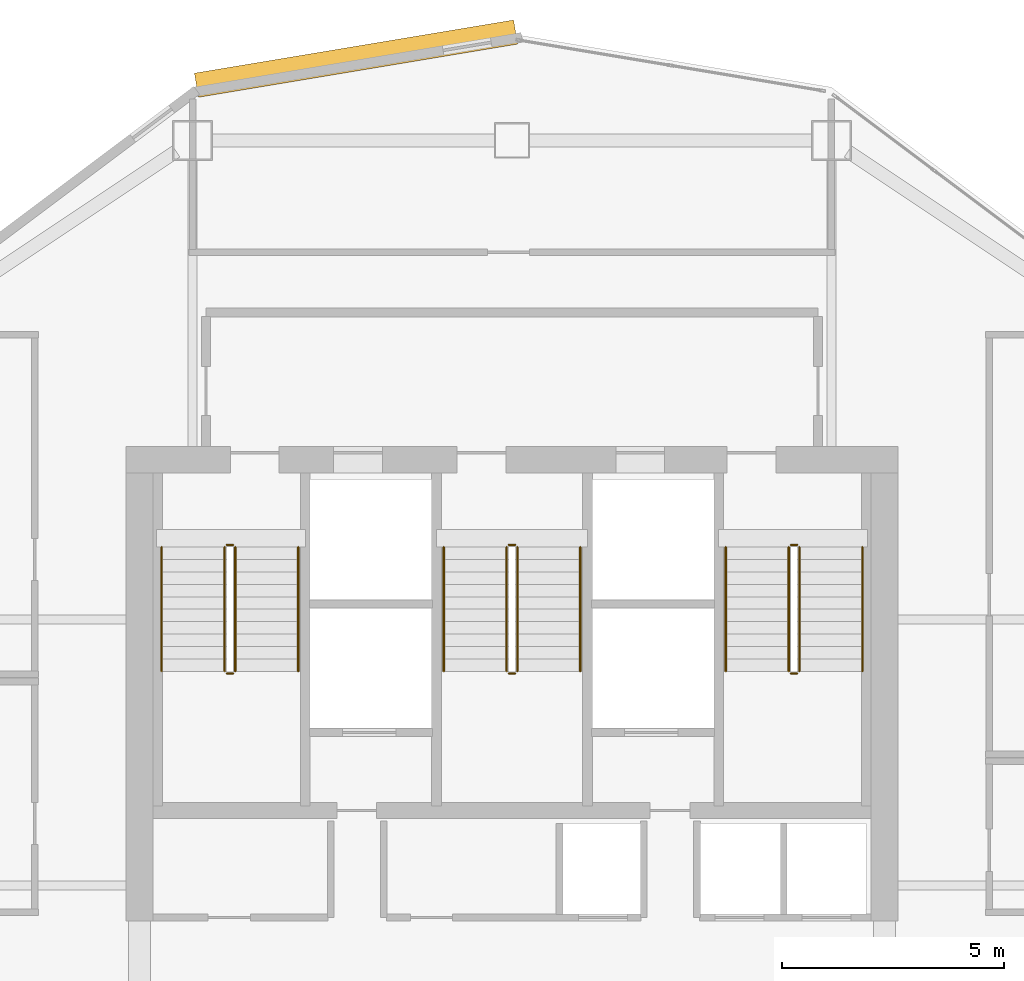
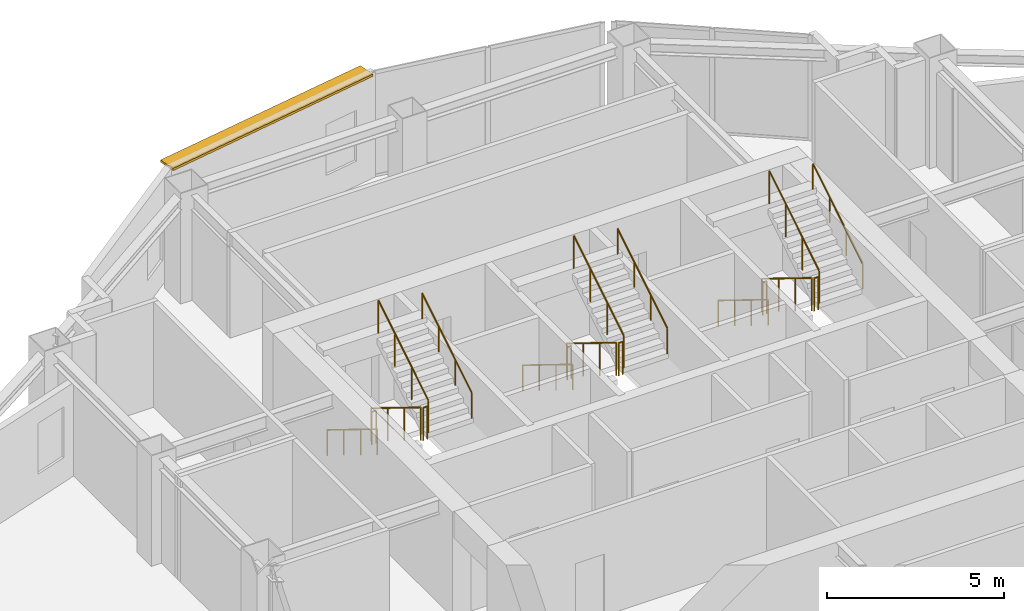
# One storey, part 11 of 11: 18 railings, 1 shading device.
"""IFC4 building model written with IfcOpenShell, lengths in metres."""

from ifc_helpers import new_model, si_unit, direction, frame, origin, origin_2d, place, context, subcontext, project, spatial, rectangle, circle, extrude, material, layer, layer_set, type_object, element, save


model = new_model("IFC4")

# Units and contexts
model_context = context("Model", 3, precision=1e-05, world=origin(), true_north=direction((0.0, 1.0)))
body_context = subcontext(model_context, "Body", "Model", "MODEL_VIEW")
ifc_project = project(units=[si_unit("LENGTHUNIT", "METRE"), si_unit("AREAUNIT", "SQUARE_METRE"), si_unit("VOLUMEUNIT", "CUBIC_METRE"), si_unit("PLANEANGLEUNIT", "RADIAN"), si_unit("MASSUNIT", "GRAM", prefix="KILO")], contexts=[model_context])

# Site, building, storey
site_placement = place(None, origin())
site = spatial("IfcSite", under=ifc_project, at=site_placement, CompositionType="ELEMENT")
building_placement = place(site_placement, origin())
building = spatial("IfcBuilding", under=site, at=building_placement, Name="Haolan Belvedere Tower", CompositionType="ELEMENT")
storey_placement = place(building_placement, frame((0.0, 0.0, 199.39990234375)))
storey = spatial("IfcBuildingStorey", under=building, at=storey_placement, Name="L50", CompositionType="ELEMENT", Elevation=199.39990234375)

# Railings
ifc_material_1 = material(Name="Brushed stainless steel 304", Category="steel")
railing_type_1 = type_object("IfcRailingType", Name="RL-STAIR-GRD-1150", PredefinedType="GUARDRAIL", material=ifc_material_1)
railing_1_placement = place(storey_placement, frame((31.919921875, 41.22998046875, 0.1728515625)))
element("IfcRailing", 1, at=railing_1_placement, inside=storey, type_object=railing_type_1, Name="L50 ST1 stair guard 1", PredefinedType="GUARDRAIL", context=body_context, shape_type="SweptSolid", body=[
    extrude(circle(Radius=0.02392578125, at=origin_2d()), frame((0.0, 0.0, 1.1259765625), z_axis=(0.0, -0.851089632645, 0.525020415988), x_axis=(1.0, 0.0, 0.0)), (0.0, 0.0, 1.0), 3.2900390625),
    extrude(circle(Radius=0.02099609375, at=origin_2d()), origin(), (0.0, 0.0, 1.0), 1.101806640625),
    extrude(circle(Radius=0.02099609375, at=origin_2d()), frame((0.0, -0.933349609375, 0.57568359375)), (0.0, 0.0, 1.0), 1.101806640625),
    extrude(circle(Radius=0.02099609375, at=origin_2d()), frame((0.0, -1.86669921875, 1.151611328125)), (0.0, 0.0, 1.0), 1.101806640625),
    extrude(circle(Radius=0.02099609375, at=origin_2d()), frame((0.0, -2.800048828125, 1.727294921875)), (0.0, 0.0, 1.0), 1.101806640625),
])
railing_2_placement = place(storey_placement, frame((31.969970703125, 38.3798828125, 1.900146484375)))
element("IfcRailing", 2, at=railing_2_placement, inside=storey, type_object=railing_type_1, Name="L50 ST1 stair guard 2", PredefinedType="GUARDRAIL", context=body_context, shape_type="SweptSolid", body=[
    extrude(circle(Radius=0.02392578125, at=origin_2d()), frame((0.0, 0.0, 1.1259765625), z_axis=(1.0, 0.0, 0.0), x_axis=(0.0, 1.0, 0.0)), (0.0, 0.0, 1.0), 0.14013671875),
    extrude(circle(Radius=0.02099609375, at=origin_2d()), origin(), (0.0, 0.0, 1.0), 1.101806640625),
    extrude(circle(Radius=0.02099609375, at=origin_2d()), frame((0.14013671875, 0.0, 0.0)), (0.0, 0.0, 1.0), 1.101806640625),
])
railing_3_placement = place(storey_placement, frame((32.159912109375, 38.429931640625, 2.07275390625)))
element("IfcRailing", 3, at=railing_3_placement, inside=storey, type_object=railing_type_1, Name="L50 ST1 stair guard 3", PredefinedType="GUARDRAIL", context=body_context, shape_type="SweptSolid", body=[
    extrude(circle(Radius=0.02392578125, at=origin_2d()), frame((0.0, 0.0, 1.1259765625), z_axis=(0.0, 0.851089632645, 0.525020415988), x_axis=(-1.0, 0.0, 0.0)), (0.0, 0.0, 1.0), 3.2900390625),
    extrude(circle(Radius=0.02099609375, at=origin_2d()), origin(), (0.0, 0.0, 1.0), 1.101806640625),
    extrude(circle(Radius=0.02099609375, at=origin_2d()), frame((0.0, 0.933349609375, 0.57568359375)), (0.0, 0.0, 1.0), 1.101806640625),
    extrude(circle(Radius=0.02099609375, at=origin_2d()), frame((0.0, 1.86669921875, 1.151611328125)), (0.0, 0.0, 1.0), 1.101806640625),
    extrude(circle(Radius=0.02099609375, at=origin_2d()), frame((0.0, 2.800048828125, 1.727294921875)), (0.0, 0.0, 1.0), 1.101806640625),
])
railing_4_placement = place(storey_placement, frame((31.969970703125, 41.280029296875, 0.0)))
element("IfcRailing", 4, at=railing_4_placement, inside=storey, type_object=railing_type_1, Name="L50 ST1 stair guard 4", PredefinedType="GUARDRAIL", context=body_context, shape_type="SweptSolid", body=[
    extrude(circle(Radius=0.02392578125, at=origin_2d()), frame((0.0, 0.0, 1.1259765625), z_axis=(1.0, 0.0, 0.0), x_axis=(0.0, 1.0, 0.0)), (0.0, 0.0, 1.0), 0.14013671875),
    extrude(circle(Radius=0.02099609375, at=origin_2d()), origin(), (0.0, 0.0, 1.0), 1.101806640625),
    extrude(circle(Radius=0.02099609375, at=origin_2d()), frame((0.14013671875, 0.0, 0.0)), (0.0, 0.0, 1.0), 1.101806640625),
])
railing_5_placement = place(storey_placement, frame((38.280029296875, 41.22998046875, 0.1728515625)))
element("IfcRailing", 5, at=railing_5_placement, inside=storey, type_object=railing_type_1, Name="L50 ST3 stair guard 1", PredefinedType="GUARDRAIL", context=body_context, shape_type="SweptSolid", body=[
    extrude(circle(Radius=0.02392578125, at=origin_2d()), frame((0.0, 0.0, 1.1259765625), z_axis=(0.0, -0.851089632645, 0.525020415988), x_axis=(1.0, 0.0, 0.0)), (0.0, 0.0, 1.0), 3.2900390625),
    extrude(circle(Radius=0.02099609375, at=origin_2d()), origin(), (0.0, 0.0, 1.0), 1.101806640625),
    extrude(circle(Radius=0.02099609375, at=origin_2d()), frame((0.0, -0.933349609375, 0.57568359375)), (0.0, 0.0, 1.0), 1.101806640625),
    extrude(circle(Radius=0.02099609375, at=origin_2d()), frame((0.0, -1.86669921875, 1.151611328125)), (0.0, 0.0, 1.0), 1.101806640625),
    extrude(circle(Radius=0.02099609375, at=origin_2d()), frame((0.0, -2.800048828125, 1.727294921875)), (0.0, 0.0, 1.0), 1.101806640625),
])
railing_6_placement = place(storey_placement, frame((38.330078125, 38.3798828125, 1.900146484375)))
element("IfcRailing", 6, at=railing_6_placement, inside=storey, type_object=railing_type_1, Name="L50 ST3 stair guard 2", PredefinedType="GUARDRAIL", context=body_context, shape_type="SweptSolid", body=[
    extrude(circle(Radius=0.02392578125, at=origin_2d()), frame((0.0, 0.0, 1.1259765625), z_axis=(1.0, 0.0, 0.0), x_axis=(0.0, 1.0, 0.0)), (0.0, 0.0, 1.0), 0.139892578125),
    extrude(circle(Radius=0.02099609375, at=origin_2d()), origin(), (0.0, 0.0, 1.0), 1.101806640625),
    extrude(circle(Radius=0.02099609375, at=origin_2d()), frame((0.139892578125, 0.0, 0.0)), (0.0, 0.0, 1.0), 1.101806640625),
])
railing_7_placement = place(storey_placement, frame((38.52001953125, 38.429931640625, 2.07275390625)))
element("IfcRailing", 7, at=railing_7_placement, inside=storey, type_object=railing_type_1, Name="L50 ST3 stair guard 3", PredefinedType="GUARDRAIL", context=body_context, shape_type="SweptSolid", body=[
    extrude(circle(Radius=0.02392578125, at=origin_2d()), frame((0.0, 0.0, 1.1259765625), z_axis=(0.0, 0.851089632645, 0.525020415988), x_axis=(-1.0, 0.0, 0.0)), (0.0, 0.0, 1.0), 3.2900390625),
    extrude(circle(Radius=0.02099609375, at=origin_2d()), origin(), (0.0, 0.0, 1.0), 1.101806640625),
    extrude(circle(Radius=0.02099609375, at=origin_2d()), frame((0.0, 0.933349609375, 0.57568359375)), (0.0, 0.0, 1.0), 1.101806640625),
    extrude(circle(Radius=0.02099609375, at=origin_2d()), frame((0.0, 1.86669921875, 1.151611328125)), (0.0, 0.0, 1.0), 1.101806640625),
    extrude(circle(Radius=0.02099609375, at=origin_2d()), frame((0.0, 2.800048828125, 1.727294921875)), (0.0, 0.0, 1.0), 1.101806640625),
])
railing_8_placement = place(storey_placement, frame((38.330078125, 41.280029296875, 0.0)))
element("IfcRailing", 8, at=railing_8_placement, inside=storey, type_object=railing_type_1, Name="L50 ST3 stair guard 4", PredefinedType="GUARDRAIL", context=body_context, shape_type="SweptSolid", body=[
    extrude(circle(Radius=0.02392578125, at=origin_2d()), frame((0.0, 0.0, 1.1259765625), z_axis=(1.0, 0.0, 0.0), x_axis=(0.0, 1.0, 0.0)), (0.0, 0.0, 1.0), 0.139892578125),
    extrude(circle(Radius=0.02099609375, at=origin_2d()), origin(), (0.0, 0.0, 1.0), 1.101806640625),
    extrude(circle(Radius=0.02099609375, at=origin_2d()), frame((0.139892578125, 0.0, 0.0)), (0.0, 0.0, 1.0), 1.101806640625),
])
railing_9_placement = place(storey_placement, frame((44.639892578125, 41.22998046875, 0.1728515625)))
element("IfcRailing", 9, at=railing_9_placement, inside=storey, type_object=railing_type_1, Name="L50 ST2 stair guard 1", PredefinedType="GUARDRAIL", context=body_context, shape_type="SweptSolid", body=[
    extrude(circle(Radius=0.02392578125, at=origin_2d()), frame((0.0, 0.0, 1.1259765625), z_axis=(0.0, -0.851089632645, 0.525020415988), x_axis=(1.0, 0.0, 0.0)), (0.0, 0.0, 1.0), 3.2900390625),
    extrude(circle(Radius=0.02099609375, at=origin_2d()), origin(), (0.0, 0.0, 1.0), 1.101806640625),
    extrude(circle(Radius=0.02099609375, at=origin_2d()), frame((0.0, -0.933349609375, 0.57568359375)), (0.0, 0.0, 1.0), 1.101806640625),
    extrude(circle(Radius=0.02099609375, at=origin_2d()), frame((0.0, -1.86669921875, 1.151611328125)), (0.0, 0.0, 1.0), 1.101806640625),
    extrude(circle(Radius=0.02099609375, at=origin_2d()), frame((0.0, -2.800048828125, 1.727294921875)), (0.0, 0.0, 1.0), 1.101806640625),
])
railing_10_placement = place(storey_placement, frame((44.68994140625, 38.3798828125, 1.900146484375)))
element("IfcRailing", 10, at=railing_10_placement, inside=storey, type_object=railing_type_1, Name="L50 ST2 stair guard 2", PredefinedType="GUARDRAIL", context=body_context, shape_type="SweptSolid", body=[
    extrude(circle(Radius=0.02392578125, at=origin_2d()), frame((0.0, 0.0, 1.1259765625), z_axis=(1.0, 0.0, 0.0), x_axis=(0.0, 1.0, 0.0)), (0.0, 0.0, 1.0), 0.14013671875),
    extrude(circle(Radius=0.02099609375, at=origin_2d()), origin(), (0.0, 0.0, 1.0), 1.101806640625),
    extrude(circle(Radius=0.02099609375, at=origin_2d()), frame((0.14013671875, 0.0, 0.0)), (0.0, 0.0, 1.0), 1.101806640625),
])
railing_11_placement = place(storey_placement, frame((44.8798828125, 38.429931640625, 2.07275390625)))
element("IfcRailing", 11, at=railing_11_placement, inside=storey, type_object=railing_type_1, Name="L50 ST2 stair guard 3", PredefinedType="GUARDRAIL", context=body_context, shape_type="SweptSolid", body=[
    extrude(circle(Radius=0.02392578125, at=origin_2d()), frame((0.0, 0.0, 1.1259765625), z_axis=(0.0, 0.851089632645, 0.525020415988), x_axis=(-1.0, 0.0, 0.0)), (0.0, 0.0, 1.0), 3.2900390625),
    extrude(circle(Radius=0.02099609375, at=origin_2d()), origin(), (0.0, 0.0, 1.0), 1.101806640625),
    extrude(circle(Radius=0.02099609375, at=origin_2d()), frame((0.0, 0.933349609375, 0.57568359375)), (0.0, 0.0, 1.0), 1.101806640625),
    extrude(circle(Radius=0.02099609375, at=origin_2d()), frame((0.0, 1.86669921875, 1.151611328125)), (0.0, 0.0, 1.0), 1.101806640625),
    extrude(circle(Radius=0.02099609375, at=origin_2d()), frame((0.0, 2.800048828125, 1.727294921875)), (0.0, 0.0, 1.0), 1.101806640625),
])
railing_12_placement = place(storey_placement, frame((44.68994140625, 41.280029296875, 0.0)))
element("IfcRailing", 12, at=railing_12_placement, inside=storey, type_object=railing_type_1, Name="L50 ST2 stair guard 4", PredefinedType="GUARDRAIL", context=body_context, shape_type="SweptSolid", body=[
    extrude(circle(Radius=0.02392578125, at=origin_2d()), frame((0.0, 0.0, 1.1259765625), z_axis=(1.0, 0.0, 0.0), x_axis=(0.0, 1.0, 0.0)), (0.0, 0.0, 1.0), 0.14013671875),
    extrude(circle(Radius=0.02099609375, at=origin_2d()), origin(), (0.0, 0.0, 1.0), 1.101806640625),
    extrude(circle(Radius=0.02099609375, at=origin_2d()), frame((0.14013671875, 0.0, 0.0)), (0.0, 0.0, 1.0), 1.101806640625),
])
railing_type_2 = type_object("IfcRailingType", Name="RL-STAIR-HND-900", PredefinedType="HANDRAIL", material=ifc_material_1)
railing_13_placement = place(storey_placement, frame((30.5, 41.22998046875, 0.1728515625)))
element("IfcRailing", 13, at=railing_13_placement, inside=storey, type_object=railing_type_2, Name="L50 ST1 stair handrail 1", PredefinedType="HANDRAIL", context=body_context, shape_type="SweptSolid", body=[
    extrude(circle(Radius=0.02392578125, at=origin_2d()), frame((0.0, 0.0, 0.8759765625), z_axis=(0.0, -0.851089632645, 0.525020415988), x_axis=(1.0, 0.0, 0.0)), (0.0, 0.0, 1.0), 3.2900390625),
    extrude(circle(Radius=0.02099609375, at=origin_2d()), origin(), (0.0, 0.0, 1.0), 0.851806640625),
    extrude(circle(Radius=0.02099609375, at=origin_2d()), frame((0.0, -0.933349609375, 0.57568359375)), (0.0, 0.0, 1.0), 0.851806640625),
    extrude(circle(Radius=0.02099609375, at=origin_2d()), frame((0.0, -1.86669921875, 1.151611328125)), (0.0, 0.0, 1.0), 0.851806640625),
    extrude(circle(Radius=0.02099609375, at=origin_2d()), frame((0.0, -2.800048828125, 1.727294921875)), (0.0, 0.0, 1.0), 0.851806640625),
])
railing_14_placement = place(storey_placement, frame((33.580078125, 38.429931640625, 2.07275390625)))
element("IfcRailing", 14, at=railing_14_placement, inside=storey, type_object=railing_type_2, Name="L50 ST1 stair handrail 2", PredefinedType="HANDRAIL", context=body_context, shape_type="SweptSolid", body=[
    extrude(circle(Radius=0.02392578125, at=origin_2d()), frame((0.0, 0.0, 0.8759765625), z_axis=(0.0, 0.851089632645, 0.525020415988), x_axis=(-1.0, 0.0, 0.0)), (0.0, 0.0, 1.0), 3.2900390625),
    extrude(circle(Radius=0.02099609375, at=origin_2d()), origin(), (0.0, 0.0, 1.0), 0.851806640625),
    extrude(circle(Radius=0.02099609375, at=origin_2d()), frame((0.0, 0.933349609375, 0.57568359375)), (0.0, 0.0, 1.0), 0.851806640625),
    extrude(circle(Radius=0.02099609375, at=origin_2d()), frame((0.0, 1.86669921875, 1.151611328125)), (0.0, 0.0, 1.0), 0.851806640625),
    extrude(circle(Radius=0.02099609375, at=origin_2d()), frame((0.0, 2.800048828125, 1.727294921875)), (0.0, 0.0, 1.0), 0.851806640625),
])
railing_15_placement = place(storey_placement, frame((36.860107421875, 41.22998046875, 0.1728515625)))
element("IfcRailing", 15, at=railing_15_placement, inside=storey, type_object=railing_type_2, Name="L50 ST3 stair handrail 1", PredefinedType="HANDRAIL", context=body_context, shape_type="SweptSolid", body=[
    extrude(circle(Radius=0.02392578125, at=origin_2d()), frame((0.0, 0.0, 0.8759765625), z_axis=(0.0, -0.851089632645, 0.525020415988), x_axis=(1.0, 0.0, 0.0)), (0.0, 0.0, 1.0), 3.2900390625),
    extrude(circle(Radius=0.02099609375, at=origin_2d()), origin(), (0.0, 0.0, 1.0), 0.851806640625),
    extrude(circle(Radius=0.02099609375, at=origin_2d()), frame((0.0, -0.933349609375, 0.57568359375)), (0.0, 0.0, 1.0), 0.851806640625),
    extrude(circle(Radius=0.02099609375, at=origin_2d()), frame((0.0, -1.86669921875, 1.151611328125)), (0.0, 0.0, 1.0), 0.851806640625),
    extrude(circle(Radius=0.02099609375, at=origin_2d()), frame((0.0, -2.800048828125, 1.727294921875)), (0.0, 0.0, 1.0), 0.851806640625),
])
railing_16_placement = place(storey_placement, frame((39.93994140625, 38.429931640625, 2.07275390625)))
element("IfcRailing", 16, at=railing_16_placement, inside=storey, type_object=railing_type_2, Name="L50 ST3 stair handrail 2", PredefinedType="HANDRAIL", context=body_context, shape_type="SweptSolid", body=[
    extrude(circle(Radius=0.02392578125, at=origin_2d()), frame((0.0, 0.0, 0.8759765625), z_axis=(0.0, 0.851089632645, 0.525020415988), x_axis=(-1.0, 0.0, 0.0)), (0.0, 0.0, 1.0), 3.2900390625),
    extrude(circle(Radius=0.02099609375, at=origin_2d()), origin(), (0.0, 0.0, 1.0), 0.851806640625),
    extrude(circle(Radius=0.02099609375, at=origin_2d()), frame((0.0, 0.933349609375, 0.57568359375)), (0.0, 0.0, 1.0), 0.851806640625),
    extrude(circle(Radius=0.02099609375, at=origin_2d()), frame((0.0, 1.86669921875, 1.151611328125)), (0.0, 0.0, 1.0), 0.851806640625),
    extrude(circle(Radius=0.02099609375, at=origin_2d()), frame((0.0, 2.800048828125, 1.727294921875)), (0.0, 0.0, 1.0), 0.851806640625),
])
railing_17_placement = place(storey_placement, frame((43.219970703125, 41.22998046875, 0.1728515625)))
element("IfcRailing", 17, at=railing_17_placement, inside=storey, type_object=railing_type_2, Name="L50 ST2 stair handrail 1", PredefinedType="HANDRAIL", context=body_context, shape_type="SweptSolid", body=[
    extrude(circle(Radius=0.02392578125, at=origin_2d()), frame((0.0, 0.0, 0.8759765625), z_axis=(0.0, -0.851089632645, 0.525020415988), x_axis=(1.0, 0.0, 0.0)), (0.0, 0.0, 1.0), 3.2900390625),
    extrude(circle(Radius=0.02099609375, at=origin_2d()), origin(), (0.0, 0.0, 1.0), 0.851806640625),
    extrude(circle(Radius=0.02099609375, at=origin_2d()), frame((0.0, -0.933349609375, 0.57568359375)), (0.0, 0.0, 1.0), 0.851806640625),
    extrude(circle(Radius=0.02099609375, at=origin_2d()), frame((0.0, -1.86669921875, 1.151611328125)), (0.0, 0.0, 1.0), 0.851806640625),
    extrude(circle(Radius=0.02099609375, at=origin_2d()), frame((0.0, -2.800048828125, 1.727294921875)), (0.0, 0.0, 1.0), 0.851806640625),
])
railing_18_placement = place(storey_placement, frame((46.300048828125, 38.429931640625, 2.07275390625)))
element("IfcRailing", 18, at=railing_18_placement, inside=storey, type_object=railing_type_2, Name="L50 ST2 stair handrail 2", PredefinedType="HANDRAIL", context=body_context, shape_type="SweptSolid", body=[
    extrude(circle(Radius=0.02392578125, at=origin_2d()), frame((0.0, 0.0, 0.8759765625), z_axis=(0.0, 0.851089632645, 0.525020415988), x_axis=(-1.0, 0.0, 0.0)), (0.0, 0.0, 1.0), 3.2900390625),
    extrude(circle(Radius=0.02099609375, at=origin_2d()), origin(), (0.0, 0.0, 1.0), 0.851806640625),
    extrude(circle(Radius=0.02099609375, at=origin_2d()), frame((0.0, 0.933349609375, 0.57568359375)), (0.0, 0.0, 1.0), 0.851806640625),
    extrude(circle(Radius=0.02099609375, at=origin_2d()), frame((0.0, 1.86669921875, 1.151611328125)), (0.0, 0.0, 1.0), 0.851806640625),
    extrude(circle(Radius=0.02099609375, at=origin_2d()), frame((0.0, 2.800048828125, 1.727294921875)), (0.0, 0.0, 1.0), 0.851806640625),
])

# Shading device
ifc_material_2 = material(Name="Anodised champagne-silver aluminium 6063-T6", Category="aluminium")
ifc_layer = layer(ifc_material_2, 0.080078125, Name="Anodised champagne-silver aluminium 6063-T6")
ifc_layer_set = layer_set([ifc_layer], Name="Anodised champagne-silver aluminium 6063-T6")
shading_device_type = type_object("IfcShadingDeviceType", Name="SHD-SUN-550", PredefinedType="USERDEFINED", material=ifc_layer_set)
shading_device_placement = place(storey_placement, frame((34.883056640625, 52.244384765625, 3.52001953125), z_axis=(0.0, 0.0, 1.0), x_axis=(-0.986394848329, -0.164393440227, 0.0)))
element("IfcShadingDevice", 19, at=shading_device_placement, inside=storey, type_object=shading_device_type, Name="L50 pale-metal horizontal SUNSHADE band 22.1", ObjectType="SUNSHADE", PredefinedType="USERDEFINED", context=body_context, shape_type="SweptSolid", body=[
    extrude(rectangle(XDim=7.294189453125, YDim=0.550048828125, at=origin_2d()), origin(), (0.0, 0.0, 1.0), 0.080078125),
])

save(model, "model.ifc")
